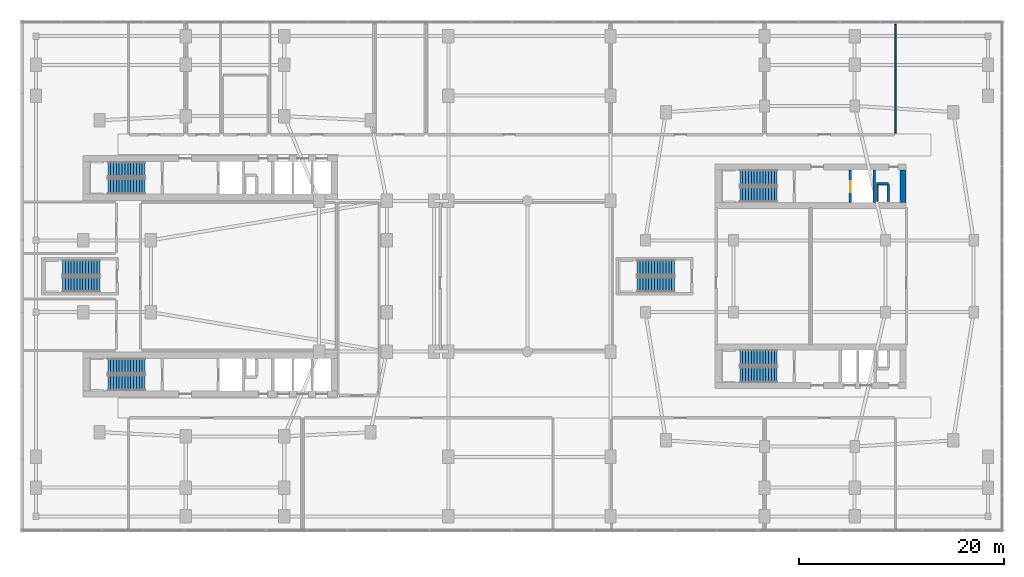
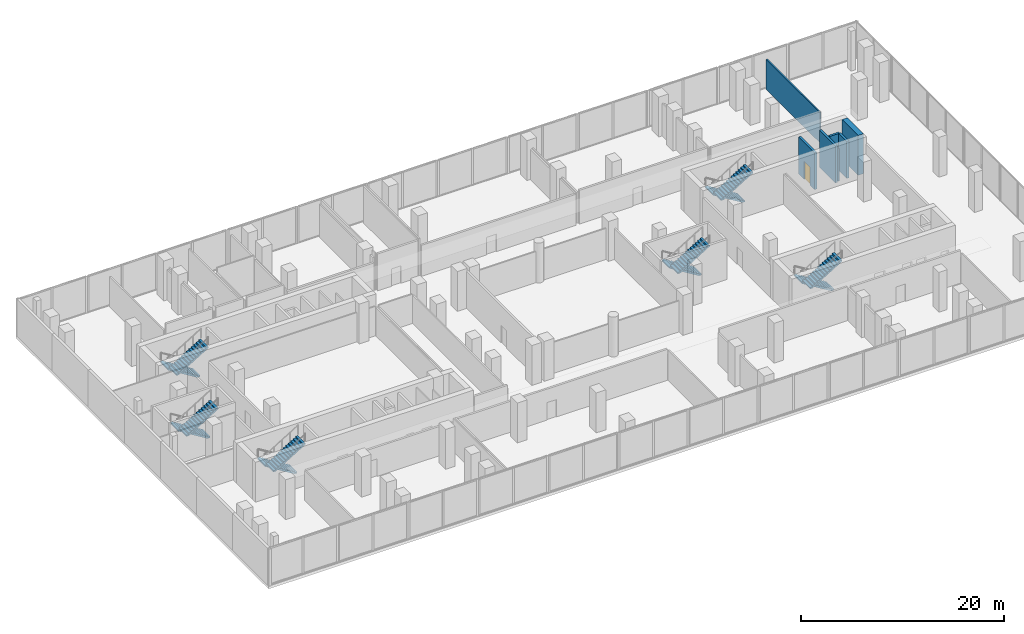
# One storey, part 17 of 23: 12 stair flights, 7 walls, 1 door, 1 opening, 6 elements without a shape of their own.
"""IFC4 building model written with IfcOpenShell, lengths in metres."""

from ifc_helpers import new_model, si_unit, derived_unit, direction, frame, frame_2d, origin, place, context, subcontext, project, spatial, polyline, rectangle, outline, extrude, material, layer, layer_set, type_object, element, fill, aggregate, save


model = new_model("IFC4")

# Units and contexts
model_context = context("Model", 3, precision=1e-05, world=origin(), true_north=direction((0.0, 1.0)))
body_context = subcontext(model_context, "Body", "Model", "MODEL_VIEW")
ifc_project = project(units=[si_unit("LENGTHUNIT", "METRE"), si_unit("AREAUNIT", "SQUARE_METRE"), si_unit("VOLUMEUNIT", "CUBIC_METRE"), si_unit("PLANEANGLEUNIT", "RADIAN"), si_unit("MASSUNIT", "GRAM", prefix="KILO"), derived_unit("THERMALTRANSMITTANCEUNIT", [(si_unit("POWERUNIT", "WATT"), 1), (si_unit("LENGTHUNIT", "METRE"), -2), (si_unit("THERMODYNAMICTEMPERATUREUNIT", "KELVIN"), -1)])], contexts=[model_context])

# Site, building, storey
site_placement = place(None, origin())
site = spatial("IfcSite", under=ifc_project, at=site_placement, CompositionType="ELEMENT")
building_placement = place(site_placement, origin())
building = spatial("IfcBuilding", under=site, at=building_placement, Name="Kivonza Crest Hotel", CompositionType="ELEMENT")
storey_placement = place(building_placement, frame((0.0, 0.0, 5.39990234375)))
storey = spatial("IfcBuildingStorey", under=building, at=storey_placement, Name="L01", CompositionType="ELEMENT", Elevation=5.39990234375)

# Walls
ifc_material_1 = material(Name="Concrete C60/75", Category="concrete")
ifc_layer_1 = layer(ifc_material_1, 0.60009765625)
ifc_layer_set_1 = layer_set([ifc_layer_1], Name="Concrete C60/75")
wall_type_1 = type_object("IfcWallType", Name="WL-CORE-600", PredefinedType="SHEAR", material=ifc_layer_set_1)
wall_1_placement = place(storey_placement, frame((86.10009765625, 32.199951171875, 0.0), z_axis=(0.0, 0.0, 1.0), x_axis=(0.0, 1.0, 0.0)))
element("IfcWall", 1, at=wall_1_placement, inside=storey, type_object=wall_type_1, Name="Core wall T2-N East L01", PredefinedType="SHEAR", context=body_context, shape_type="SweptSolid", body=[
    extrude(rectangle(XDim=3.16015625, YDim=0.60009765625, at=frame_2d((1.580078125, 0.0))), origin(), (0.0, 0.0, 1.0), 4.800048828125),
])
ifc_material_2 = material(Name="Concrete blockwork fire-compartment wall", Category="masonry")
ifc_layer_2 = layer(ifc_material_2, 0.25)
ifc_layer_set_2 = layer_set([ifc_layer_2], Name="Concrete blockwork fire-compartment wall")
wall_type_2 = type_object("IfcWallType", Name="WL-FIRE-250", PredefinedType="SOLIDWALL", material=ifc_layer_set_2)
wall_2_placement = place(storey_placement, frame((84.679931640625, 32.300048828125, 0.0), z_axis=(0.0, 0.0, 1.0), x_axis=(0.0, 1.0, 0.0)))
element("IfcWall", 2, at=wall_2_placement, inside=storey, type_object=wall_type_2, Name="L01 interior partition WA-L01-T2-N-MEPR-E", PredefinedType="SOLIDWALL", context=body_context, shape_type="SweptSolid", body=[
    extrude(rectangle(XDim=1.619873046875, YDim=0.25, at=frame_2d((0.81005859375, 0.0))), origin(), (0.0, 0.0, 1.0), 4.4501953125),
])
wall_3_placement = place(storey_placement, frame((83.550048828125, 34.02001953125, 0.0), z_axis=(0.0, 0.0, 1.0), x_axis=(1.0, 0.0, 0.0)))
element("IfcWall", 3, at=wall_3_placement, inside=storey, type_object=wall_type_2, Name="L01 interior partition WA-L01-T2-N-MEPR-H", PredefinedType="SOLIDWALL", context=body_context, shape_type="SweptSolid", body=[
    extrude(rectangle(XDim=1.1298828125, YDim=0.25, at=frame_2d((0.56494140625, 0.0))), origin(), (0.0, 0.0, 1.0), 4.4501953125),
])
ifc_material_3 = material(Name="Twin-stud acoustic gypsum board partition", Category="gypsum")
ifc_layer_3 = layer(ifc_material_3, 0.14990234375)
ifc_layer_set_3 = layer_set([ifc_layer_3], Name="Twin-stud acoustic gypsum board partition")
wall_type_3 = type_object("IfcWallType", Name="WL-PART-150", PredefinedType="PARTITIONING", material=ifc_layer_set_3)
wall_4_placement = place(storey_placement, frame((83.6298828125, 32.300048828125, 0.0), z_axis=(0.0, 0.0, 1.0), x_axis=(0.0, 1.0, 0.0)))
element("IfcWall", 4, at=wall_4_placement, inside=storey, type_object=wall_type_3, Name="L01 interior partition WA-L01-T2-N-MEPR-W", PredefinedType="PARTITIONING", context=body_context, shape_type="SweptSolid", body=[
    extrude(rectangle(XDim=1.619873046875, YDim=0.14990234375, at=frame_2d((0.81005859375, 0.0))), origin(), (0.0, 0.0, 1.0), 3.925048828125),
])
wall_5_placement = place(storey_placement, frame((85.39990234375, 38.949951171875, 0.0), z_axis=(0.0, 0.0, 1.0), x_axis=(0.0, 1.0, 0.0)))
element("IfcWall", 5, at=wall_5_placement, inside=storey, type_object=wall_type_3, Name="L01 interior partition WP-L01-VIP-DIN3-BE", PredefinedType="PARTITIONING", context=body_context, shape_type="SweptSolid", body=[
    extrude(rectangle(XDim=10.60009765625, YDim=0.14990234375, at=frame_2d((5.300048828125, 0.0))), origin(), (0.0, 0.0, 1.0), 3.625),
])

# Wall, opening, door
ifc_material_4 = material(Name="Concrete C50/60", Category="concrete")
ifc_layer_4 = layer(ifc_material_4, 0.25)
ifc_layer_set_4 = layer_set([ifc_layer_4], Name="Concrete C50/60")
wall_type_4 = type_object("IfcWallType", Name="WL-SHAFT-250", PredefinedType="STANDARD", material=ifc_layer_set_4)
wall_6_placement = place(storey_placement, frame((80.97509765625, 32.199951171875, 0.0), z_axis=(0.0, 0.0, 1.0), x_axis=(0.0, 1.0, 0.0)))
wall_6 = element("IfcWall", 6, at=wall_6_placement, inside=storey, type_object=wall_type_4, Name="Core shaft wall T2-N FFL-W L01", PredefinedType="STANDARD", context=body_context, shape_type="SweptSolid", body=[
    extrude(rectangle(XDim=3.16015625, YDim=0.25, at=frame_2d((1.580078125, 0.0))), origin(), (0.0, 0.0, 1.0), 4.4501953125),
])
opening_placement = place(wall_6_placement, frame((0.97998046875, 0.0, 0.0)))
opening = element("IfcOpeningElement", 7, at=opening_placement, cuts=wall_6, Name="Opening LD-120", PredefinedType="OPENING", context=body_context, shape_type="SweptSolid", body=[
    extrude(rectangle(XDim=1.10009765625, YDim=2.14990234375, at=frame_2d((0.550048828125, 1.074951171875))), frame((0.0, 0.135009765625, 0.0), z_axis=(0.0, -1.0, 0.0), x_axis=(1.0, 0.0, 0.0)), (0.0, 0.0, 1.0), 0.27001953125),
])
ifc_material_5 = material(Name="Stainless steel", Category="steel")
door_type = type_object("IfcDoorType", Name="DR-LD120-1100", OperationType="NOTDEFINED", PredefinedType="DOOR", material=ifc_material_5)
door_placement = place(opening_placement, origin())
door = element("IfcDoor", 8, at=door_placement, inside=storey, type_object=door_type, Name="L01 FFL-T2 firefighting lift sliding landing door", OperationType="DOUBLE_DOOR_SLIDING", OverallHeight=2.14990234375, OverallWidth=1.10009765625, PredefinedType="DOOR", context=body_context, shape_type="SweptSolid", body=[
    extrude(rectangle(XDim=1.10009765625, YDim=2.14990234375, at=frame_2d((0.550048828125, 1.074951171875))), frame((0.0, 0.02490234375, 0.0), z_axis=(0.0, -1.0, 0.0), x_axis=(1.0, 0.0, 0.0)), (0.0, 0.0, 1.0), 0.050048828125),
])
fill(opening, door)

# Wall
wall_7_placement = place(storey_placement, frame((83.324951171875, 32.199951171875, 0.0), z_axis=(0.0, 0.0, 1.0), x_axis=(0.0, 1.0, 0.0)))
element("IfcWall", 9, at=wall_7_placement, inside=storey, type_object=wall_type_4, Name="Core shaft wall T2-N FFL-E L01", PredefinedType="STANDARD", context=body_context, shape_type="SweptSolid", body=[
    extrude(rectangle(XDim=3.16015625, YDim=0.25, at=frame_2d((1.580078125, 0.0))), origin(), (0.0, 0.0, 1.0), 4.4501953125),
])

# Stair, stair flights
ifc_material_6 = material(Name="Concrete C40/50", Category="concrete")
stair_type = type_object("IfcStairType", Name="ST-DL-28R", PredefinedType="HALF_TURN_STAIR", material=ifc_material_6)
stair_1_placement = place(storey_placement, origin())
stair_1 = element("IfcStair", 10, at=stair_1_placement, inside=storey, type_object=stair_type, Name="L01 Protected Exit Stair ST-T1-N", PredefinedType="HALF_TURN_STAIR")
stair_flight_type = type_object("IfcStairFlightType", Name="SFL-RC-14R", PredefinedType="STRAIGHT", material=ifc_material_6)
stair_flight_1_placement = place(storey_placement, frame((12.239990234375, 35.409912109375, 0.0), z_axis=(0.0, 0.0, 1.0), x_axis=(-1.0, 0.0, 0.0)))
stair_flight_1 = element("IfcStairFlight", 11, at=stair_flight_1_placement, type_object=stair_flight_type, Name="ST-T1-N flight 1", NumberOfRisers=14, NumberOfTreads=13, PredefinedType="STRAIGHT", RiserHeight=0.171428571, TreadLength=0.28, context=body_context, shape_type="SweptSolid", body=[
    extrude(outline(polyline([(0.0, 0.0), (0.0, 0.17138671875), (0.280029296875, 0.17138671875), (0.280029296875, 0.3427734375), (0.56005859375, 0.3427734375), (0.56005859375, 0.514404296875), (0.840087890625, 0.514404296875), (0.840087890625, 0.685791015625), (1.1201171875, 0.685791015625), (1.1201171875, 0.857177734375), (1.39990234375, 0.857177734375), (1.39990234375, 1.028564453125), (1.679931640625, 1.028564453125), (1.679931640625, 1.199951171875), (1.9599609375, 1.199951171875), (1.9599609375, 1.371337890625), (2.239990234375, 1.371337890625), (2.239990234375, 1.54296875), (2.52001953125, 1.54296875), (2.52001953125, 1.71435546875), (2.800048828125, 1.71435546875), (2.800048828125, 1.8857421875), (3.080078125, 1.8857421875), (3.080078125, 2.05712890625), (3.360107421875, 2.05712890625), (3.360107421875, 2.228515625), (3.639892578125, 2.228515625), (3.639892578125, 2.39990234375), (3.639892578125, 2.052734375), (0.287109375, 0.0), (0.0, 0.0)])), frame((0.0, 0.75, 0.0), z_axis=(0.0, -1.0, 0.0), x_axis=(1.0, 0.0, 0.0)), (0.0, 0.0, 1.0), 1.5),
])
stair_flight_2_placement = place(storey_placement, frame((8.60009765625, 33.77001953125, 2.400146484375), z_axis=(0.0, 0.0, 1.0), x_axis=(1.0, 0.0, 0.0)))
stair_flight_2 = element("IfcStairFlight", 12, at=stair_flight_2_placement, type_object=stair_flight_type, Name="ST-T1-N flight 2", NumberOfRisers=14, NumberOfTreads=13, PredefinedType="STRAIGHT", RiserHeight=0.171428571, TreadLength=0.28, context=body_context, shape_type="SweptSolid", body=[
    extrude(outline(polyline([(0.0, 0.0), (0.0, 0.17138671875), (0.280029296875, 0.17138671875), (0.280029296875, 0.3427734375), (0.56005859375, 0.3427734375), (0.56005859375, 0.514404296875), (0.840087890625, 0.514404296875), (0.840087890625, 0.685791015625), (1.1201171875, 0.685791015625), (1.1201171875, 0.857177734375), (1.39990234375, 0.857177734375), (1.39990234375, 1.028564453125), (1.679931640625, 1.028564453125), (1.679931640625, 1.199951171875), (1.9599609375, 1.199951171875), (1.9599609375, 1.371337890625), (2.239990234375, 1.371337890625), (2.239990234375, 1.54296875), (2.52001953125, 1.54296875), (2.52001953125, 1.71435546875), (2.800048828125, 1.71435546875), (2.800048828125, 1.8857421875), (3.080078125, 1.8857421875), (3.080078125, 2.05712890625), (3.360107421875, 2.05712890625), (3.360107421875, 2.228515625), (3.639892578125, 2.228515625), (3.639892578125, 2.39990234375), (3.639892578125, 2.052734375), (0.287109375, 0.0), (0.0, 0.0)])), frame((0.0, 0.75, 0.0), z_axis=(0.0, -1.0, 0.0), x_axis=(1.0, 0.0, 0.0)), (0.0, 0.0, 1.0), 1.5),
])
aggregate(stair_1, [stair_flight_1, stair_flight_2])

stair_2_placement = place(storey_placement, origin())
stair_2 = element("IfcStair", 13, at=stair_2_placement, inside=storey, type_object=stair_type, Name="L01 Protected Exit Stair ST-T1-S", PredefinedType="HALF_TURN_STAIR")
stair_flight_3_placement = place(storey_placement, frame((12.239990234375, 16.25, 0.0), z_axis=(0.0, 0.0, 1.0), x_axis=(-1.0, 0.0, 0.0)))
stair_flight_3 = element("IfcStairFlight", 14, at=stair_flight_3_placement, type_object=stair_flight_type, Name="ST-T1-S flight 1", NumberOfRisers=14, NumberOfTreads=13, PredefinedType="STRAIGHT", RiserHeight=0.171428571, TreadLength=0.28, context=body_context, shape_type="SweptSolid", body=[
    extrude(outline(polyline([(0.0, 0.0), (0.0, 0.17138671875), (0.280029296875, 0.17138671875), (0.280029296875, 0.3427734375), (0.56005859375, 0.3427734375), (0.56005859375, 0.514404296875), (0.840087890625, 0.514404296875), (0.840087890625, 0.685791015625), (1.1201171875, 0.685791015625), (1.1201171875, 0.857177734375), (1.39990234375, 0.857177734375), (1.39990234375, 1.028564453125), (1.679931640625, 1.028564453125), (1.679931640625, 1.199951171875), (1.9599609375, 1.199951171875), (1.9599609375, 1.371337890625), (2.239990234375, 1.371337890625), (2.239990234375, 1.54296875), (2.52001953125, 1.54296875), (2.52001953125, 1.71435546875), (2.800048828125, 1.71435546875), (2.800048828125, 1.8857421875), (3.080078125, 1.8857421875), (3.080078125, 2.05712890625), (3.360107421875, 2.05712890625), (3.360107421875, 2.228515625), (3.639892578125, 2.228515625), (3.639892578125, 2.39990234375), (3.639892578125, 2.052734375), (0.287109375, 0.0), (0.0, 0.0)])), frame((0.0, 0.75, 0.0), z_axis=(0.0, -1.0, 0.0), x_axis=(1.0, 0.0, 0.0)), (0.0, 0.0, 1.0), 1.5),
])
stair_flight_4_placement = place(storey_placement, frame((8.60009765625, 14.610107421875, 2.400146484375), z_axis=(0.0, 0.0, 1.0), x_axis=(1.0, 0.0, 0.0)))
stair_flight_4 = element("IfcStairFlight", 15, at=stair_flight_4_placement, type_object=stair_flight_type, Name="ST-T1-S flight 2", NumberOfRisers=14, NumberOfTreads=13, PredefinedType="STRAIGHT", RiserHeight=0.171428571, TreadLength=0.28, context=body_context, shape_type="SweptSolid", body=[
    extrude(outline(polyline([(0.0, 0.0), (0.0, 0.17138671875), (0.280029296875, 0.17138671875), (0.280029296875, 0.3427734375), (0.56005859375, 0.3427734375), (0.56005859375, 0.514404296875), (0.840087890625, 0.514404296875), (0.840087890625, 0.685791015625), (1.1201171875, 0.685791015625), (1.1201171875, 0.857177734375), (1.39990234375, 0.857177734375), (1.39990234375, 1.028564453125), (1.679931640625, 1.028564453125), (1.679931640625, 1.199951171875), (1.9599609375, 1.199951171875), (1.9599609375, 1.371337890625), (2.239990234375, 1.371337890625), (2.239990234375, 1.54296875), (2.52001953125, 1.54296875), (2.52001953125, 1.71435546875), (2.800048828125, 1.71435546875), (2.800048828125, 1.8857421875), (3.080078125, 1.8857421875), (3.080078125, 2.05712890625), (3.360107421875, 2.05712890625), (3.360107421875, 2.228515625), (3.639892578125, 2.228515625), (3.639892578125, 2.39990234375), (3.639892578125, 2.052734375), (0.287109375, 0.0), (0.0, 0.0)])), frame((0.0, 0.75, 0.0), z_axis=(0.0, -1.0, 0.0), x_axis=(1.0, 0.0, 0.0)), (0.0, 0.0, 1.0), 1.5),
])
aggregate(stair_2, [stair_flight_3, stair_flight_4])

stair_3_placement = place(storey_placement, origin())
stair_3 = element("IfcStair", 16, at=stair_3_placement, inside=storey, type_object=stair_type, Name="L01 Protected Exit Stair ST-T2-N", PredefinedType="HALF_TURN_STAIR")
stair_flight_5_placement = place(storey_placement, frame((73.840087890625, 34.610107421875, 0.0), z_axis=(0.0, 0.0, 1.0), x_axis=(-1.0, 0.0, 0.0)))
stair_flight_5 = element("IfcStairFlight", 17, at=stair_flight_5_placement, type_object=stair_flight_type, Name="ST-T2-N flight 1", NumberOfRisers=14, NumberOfTreads=13, PredefinedType="STRAIGHT", RiserHeight=0.171428571, TreadLength=0.28, context=body_context, shape_type="SweptSolid", body=[
    extrude(outline(polyline([(0.0, 0.0), (0.0, 0.17138671875), (0.280029296875, 0.17138671875), (0.280029296875, 0.3427734375), (0.56005859375, 0.3427734375), (0.56005859375, 0.514404296875), (0.840087890625, 0.514404296875), (0.840087890625, 0.685791015625), (1.1201171875, 0.685791015625), (1.1201171875, 0.857177734375), (1.39990234375, 0.857177734375), (1.39990234375, 1.028564453125), (1.679931640625, 1.028564453125), (1.679931640625, 1.199951171875), (1.9599609375, 1.199951171875), (1.9599609375, 1.371337890625), (2.239990234375, 1.371337890625), (2.239990234375, 1.54296875), (2.52001953125, 1.54296875), (2.52001953125, 1.71435546875), (2.800048828125, 1.71435546875), (2.800048828125, 1.8857421875), (3.080078125, 1.8857421875), (3.080078125, 2.05712890625), (3.360107421875, 2.05712890625), (3.360107421875, 2.228515625), (3.639892578125, 2.228515625), (3.639892578125, 2.39990234375), (3.639892578125, 2.052734375), (0.287109375, 0.0), (0.0, 0.0)])), frame((0.0, 0.75, 0.0), z_axis=(0.0, -1.0, 0.0), x_axis=(1.0, 0.0, 0.0)), (0.0, 0.0, 1.0), 1.5),
])
stair_flight_6_placement = place(storey_placement, frame((70.199951171875, 32.969970703125, 2.400146484375), z_axis=(0.0, 0.0, 1.0), x_axis=(1.0, 0.0, 0.0)))
stair_flight_6 = element("IfcStairFlight", 18, at=stair_flight_6_placement, type_object=stair_flight_type, Name="ST-T2-N flight 2", NumberOfRisers=14, NumberOfTreads=13, PredefinedType="STRAIGHT", RiserHeight=0.171428571, TreadLength=0.28, context=body_context, shape_type="SweptSolid", body=[
    extrude(outline(polyline([(0.0, 0.0), (0.0, 0.17138671875), (0.280029296875, 0.17138671875), (0.280029296875, 0.3427734375), (0.56005859375, 0.3427734375), (0.56005859375, 0.514404296875), (0.840087890625, 0.514404296875), (0.840087890625, 0.685791015625), (1.1201171875, 0.685791015625), (1.1201171875, 0.857177734375), (1.39990234375, 0.857177734375), (1.39990234375, 1.028564453125), (1.679931640625, 1.028564453125), (1.679931640625, 1.199951171875), (1.9599609375, 1.199951171875), (1.9599609375, 1.371337890625), (2.239990234375, 1.371337890625), (2.239990234375, 1.54296875), (2.52001953125, 1.54296875), (2.52001953125, 1.71435546875), (2.800048828125, 1.71435546875), (2.800048828125, 1.8857421875), (3.080078125, 1.8857421875), (3.080078125, 2.05712890625), (3.360107421875, 2.05712890625), (3.360107421875, 2.228515625), (3.639892578125, 2.228515625), (3.639892578125, 2.39990234375), (3.639892578125, 2.052734375), (0.287109375, 0.0), (0.0, 0.0)])), frame((0.0, 0.75, 0.0), z_axis=(0.0, -1.0, 0.0), x_axis=(1.0, 0.0, 0.0)), (0.0, 0.0, 1.0), 1.5),
])
aggregate(stair_3, [stair_flight_5, stair_flight_6])

stair_4_placement = place(storey_placement, origin())
stair_4 = element("IfcStair", 19, at=stair_4_placement, inside=storey, type_object=stair_type, Name="L01 Protected Exit Stair ST-T2-S", PredefinedType="HALF_TURN_STAIR")
stair_flight_7_placement = place(storey_placement, frame((73.840087890625, 17.050048828125, 0.0), z_axis=(0.0, 0.0, 1.0), x_axis=(-1.0, 0.0, 0.0)))
stair_flight_7 = element("IfcStairFlight", 20, at=stair_flight_7_placement, type_object=stair_flight_type, Name="ST-T2-S flight 1", NumberOfRisers=14, NumberOfTreads=13, PredefinedType="STRAIGHT", RiserHeight=0.171428571, TreadLength=0.28, context=body_context, shape_type="SweptSolid", body=[
    extrude(outline(polyline([(0.0, 0.0), (0.0, 0.17138671875), (0.280029296875, 0.17138671875), (0.280029296875, 0.3427734375), (0.56005859375, 0.3427734375), (0.56005859375, 0.514404296875), (0.840087890625, 0.514404296875), (0.840087890625, 0.685791015625), (1.1201171875, 0.685791015625), (1.1201171875, 0.857177734375), (1.39990234375, 0.857177734375), (1.39990234375, 1.028564453125), (1.679931640625, 1.028564453125), (1.679931640625, 1.199951171875), (1.9599609375, 1.199951171875), (1.9599609375, 1.371337890625), (2.239990234375, 1.371337890625), (2.239990234375, 1.54296875), (2.52001953125, 1.54296875), (2.52001953125, 1.71435546875), (2.800048828125, 1.71435546875), (2.800048828125, 1.8857421875), (3.080078125, 1.8857421875), (3.080078125, 2.05712890625), (3.360107421875, 2.05712890625), (3.360107421875, 2.228515625), (3.639892578125, 2.228515625), (3.639892578125, 2.39990234375), (3.639892578125, 2.052734375), (0.287109375, 0.0), (0.0, 0.0)])), frame((0.0, 0.75, 0.0), z_axis=(0.0, -1.0, 0.0), x_axis=(1.0, 0.0, 0.0)), (0.0, 0.0, 1.0), 1.5),
])
stair_flight_8_placement = place(storey_placement, frame((70.199951171875, 15.409912109375, 2.400146484375), z_axis=(0.0, 0.0, 1.0), x_axis=(1.0, 0.0, 0.0)))
stair_flight_8 = element("IfcStairFlight", 21, at=stair_flight_8_placement, type_object=stair_flight_type, Name="ST-T2-S flight 2", NumberOfRisers=14, NumberOfTreads=13, PredefinedType="STRAIGHT", RiserHeight=0.171428571, TreadLength=0.28, context=body_context, shape_type="SweptSolid", body=[
    extrude(outline(polyline([(0.0, 0.0), (0.0, 0.17138671875), (0.280029296875, 0.17138671875), (0.280029296875, 0.3427734375), (0.56005859375, 0.3427734375), (0.56005859375, 0.514404296875), (0.840087890625, 0.514404296875), (0.840087890625, 0.685791015625), (1.1201171875, 0.685791015625), (1.1201171875, 0.857177734375), (1.39990234375, 0.857177734375), (1.39990234375, 1.028564453125), (1.679931640625, 1.028564453125), (1.679931640625, 1.199951171875), (1.9599609375, 1.199951171875), (1.9599609375, 1.371337890625), (2.239990234375, 1.371337890625), (2.239990234375, 1.54296875), (2.52001953125, 1.54296875), (2.52001953125, 1.71435546875), (2.800048828125, 1.71435546875), (2.800048828125, 1.8857421875), (3.080078125, 1.8857421875), (3.080078125, 2.05712890625), (3.360107421875, 2.05712890625), (3.360107421875, 2.228515625), (3.639892578125, 2.228515625), (3.639892578125, 2.39990234375), (3.639892578125, 2.052734375), (0.287109375, 0.0), (0.0, 0.0)])), frame((0.0, 0.75, 0.0), z_axis=(0.0, -1.0, 0.0), x_axis=(1.0, 0.0, 0.0)), (0.0, 0.0, 1.0), 1.5),
])
aggregate(stair_4, [stair_flight_7, stair_flight_8])

stair_5_placement = place(storey_placement, origin())
stair_5 = element("IfcStair", 22, at=stair_5_placement, inside=storey, type_object=stair_type, Name="L01 Podium Escape Stair ST-POD-W", PredefinedType="HALF_TURN_STAIR")
stair_flight_9_placement = place(storey_placement, frame((7.840087890625, 25.830078125, 0.0), z_axis=(0.0, 0.0, 1.0), x_axis=(-1.0, 0.0, 0.0)))
stair_flight_9 = element("IfcStairFlight", 23, at=stair_flight_9_placement, type_object=stair_flight_type, Name="ST-POD-W flight 1", NumberOfRisers=14, NumberOfTreads=13, PredefinedType="STRAIGHT", RiserHeight=0.171428571, TreadLength=0.28, context=body_context, shape_type="SweptSolid", body=[
    extrude(outline(polyline([(0.0, 0.0), (0.0, 0.17138671875), (0.280029296875, 0.17138671875), (0.280029296875, 0.3427734375), (0.56005859375, 0.3427734375), (0.56005859375, 0.514404296875), (0.840087890625, 0.514404296875), (0.840087890625, 0.685791015625), (1.1201171875, 0.685791015625), (1.1201171875, 0.857177734375), (1.39990234375, 0.857177734375), (1.39990234375, 1.028564453125), (1.679931640625, 1.028564453125), (1.679931640625, 1.199951171875), (1.9599609375, 1.199951171875), (1.9599609375, 1.371337890625), (2.239990234375, 1.371337890625), (2.239990234375, 1.54296875), (2.52001953125, 1.54296875), (2.52001953125, 1.71435546875), (2.800048828125, 1.71435546875), (2.800048828125, 1.8857421875), (3.080078125, 1.8857421875), (3.080078125, 2.05712890625), (3.360107421875, 2.05712890625), (3.360107421875, 2.228515625), (3.639892578125, 2.228515625), (3.639892578125, 2.39990234375), (3.639892578125, 2.052734375), (0.287109375, 0.0), (0.0, 0.0)])), frame((0.0, 0.75, 0.0), z_axis=(0.0, -1.0, 0.0), x_axis=(1.0, 0.0, 0.0)), (0.0, 0.0, 1.0), 1.5),
])
stair_flight_10_placement = place(storey_placement, frame((4.199951171875, 24.18994140625, 2.400146484375), z_axis=(0.0, 0.0, 1.0), x_axis=(1.0, 0.0, 0.0)))
stair_flight_10 = element("IfcStairFlight", 24, at=stair_flight_10_placement, type_object=stair_flight_type, Name="ST-POD-W flight 2", NumberOfRisers=14, NumberOfTreads=13, PredefinedType="STRAIGHT", RiserHeight=0.171428571, TreadLength=0.28, context=body_context, shape_type="SweptSolid", body=[
    extrude(outline(polyline([(0.0, 0.0), (0.0, 0.17138671875), (0.280029296875, 0.17138671875), (0.280029296875, 0.3427734375), (0.56005859375, 0.3427734375), (0.56005859375, 0.514404296875), (0.840087890625, 0.514404296875), (0.840087890625, 0.685791015625), (1.1201171875, 0.685791015625), (1.1201171875, 0.857177734375), (1.39990234375, 0.857177734375), (1.39990234375, 1.028564453125), (1.679931640625, 1.028564453125), (1.679931640625, 1.199951171875), (1.9599609375, 1.199951171875), (1.9599609375, 1.371337890625), (2.239990234375, 1.371337890625), (2.239990234375, 1.54296875), (2.52001953125, 1.54296875), (2.52001953125, 1.71435546875), (2.800048828125, 1.71435546875), (2.800048828125, 1.8857421875), (3.080078125, 1.8857421875), (3.080078125, 2.05712890625), (3.360107421875, 2.05712890625), (3.360107421875, 2.228515625), (3.639892578125, 2.228515625), (3.639892578125, 2.39990234375), (3.639892578125, 2.052734375), (0.287109375, 0.0), (0.0, 0.0)])), frame((0.0, 0.75, 0.0), z_axis=(0.0, -1.0, 0.0), x_axis=(1.0, 0.0, 0.0)), (0.0, 0.0, 1.0), 1.5),
])
aggregate(stair_5, [stair_flight_9, stair_flight_10])

stair_6_placement = place(storey_placement, origin())
stair_6 = element("IfcStair", 25, at=stair_6_placement, inside=storey, type_object=stair_type, Name="L01 Podium Escape Stair ST-POD-E", PredefinedType="HALF_TURN_STAIR")
stair_flight_11_placement = place(storey_placement, frame((63.840087890625, 25.830078125, 0.0), z_axis=(0.0, 0.0, 1.0), x_axis=(-1.0, 0.0, 0.0)))
stair_flight_11 = element("IfcStairFlight", 26, at=stair_flight_11_placement, type_object=stair_flight_type, Name="ST-POD-E flight 1", NumberOfRisers=14, NumberOfTreads=13, PredefinedType="STRAIGHT", RiserHeight=0.171428571, TreadLength=0.28, context=body_context, shape_type="SweptSolid", body=[
    extrude(outline(polyline([(0.0, 0.0), (0.0, 0.17138671875), (0.280029296875, 0.17138671875), (0.280029296875, 0.3427734375), (0.56005859375, 0.3427734375), (0.56005859375, 0.514404296875), (0.840087890625, 0.514404296875), (0.840087890625, 0.685791015625), (1.1201171875, 0.685791015625), (1.1201171875, 0.857177734375), (1.39990234375, 0.857177734375), (1.39990234375, 1.028564453125), (1.679931640625, 1.028564453125), (1.679931640625, 1.199951171875), (1.9599609375, 1.199951171875), (1.9599609375, 1.371337890625), (2.239990234375, 1.371337890625), (2.239990234375, 1.54296875), (2.52001953125, 1.54296875), (2.52001953125, 1.71435546875), (2.800048828125, 1.71435546875), (2.800048828125, 1.8857421875), (3.080078125, 1.8857421875), (3.080078125, 2.05712890625), (3.360107421875, 2.05712890625), (3.360107421875, 2.228515625), (3.639892578125, 2.228515625), (3.639892578125, 2.39990234375), (3.639892578125, 2.052734375), (0.287109375, 0.0), (0.0, 0.0)])), frame((0.0, 0.75, 0.0), z_axis=(0.0, -1.0, 0.0), x_axis=(1.0, 0.0, 0.0)), (0.0, 0.0, 1.0), 1.5),
])
stair_flight_12_placement = place(storey_placement, frame((60.199951171875, 24.18994140625, 2.400146484375), z_axis=(0.0, 0.0, 1.0), x_axis=(1.0, 0.0, 0.0)))
stair_flight_12 = element("IfcStairFlight", 27, at=stair_flight_12_placement, type_object=stair_flight_type, Name="ST-POD-E flight 2", NumberOfRisers=14, NumberOfTreads=13, PredefinedType="STRAIGHT", RiserHeight=0.171428571, TreadLength=0.28, context=body_context, shape_type="SweptSolid", body=[
    extrude(outline(polyline([(0.0, 0.0), (0.0, 0.17138671875), (0.280029296875, 0.17138671875), (0.280029296875, 0.3427734375), (0.56005859375, 0.3427734375), (0.56005859375, 0.514404296875), (0.840087890625, 0.514404296875), (0.840087890625, 0.685791015625), (1.1201171875, 0.685791015625), (1.1201171875, 0.857177734375), (1.39990234375, 0.857177734375), (1.39990234375, 1.028564453125), (1.679931640625, 1.028564453125), (1.679931640625, 1.199951171875), (1.9599609375, 1.199951171875), (1.9599609375, 1.371337890625), (2.239990234375, 1.371337890625), (2.239990234375, 1.54296875), (2.52001953125, 1.54296875), (2.52001953125, 1.71435546875), (2.800048828125, 1.71435546875), (2.800048828125, 1.8857421875), (3.080078125, 1.8857421875), (3.080078125, 2.05712890625), (3.360107421875, 2.05712890625), (3.360107421875, 2.228515625), (3.639892578125, 2.228515625), (3.639892578125, 2.39990234375), (3.639892578125, 2.052734375), (0.287109375, 0.0), (0.0, 0.0)])), frame((0.0, 0.75, 0.0), z_axis=(0.0, -1.0, 0.0), x_axis=(1.0, 0.0, 0.0)), (0.0, 0.0, 1.0), 1.5),
])
aggregate(stair_6, [stair_flight_11, stair_flight_12])

save(model, "model.ifc")
